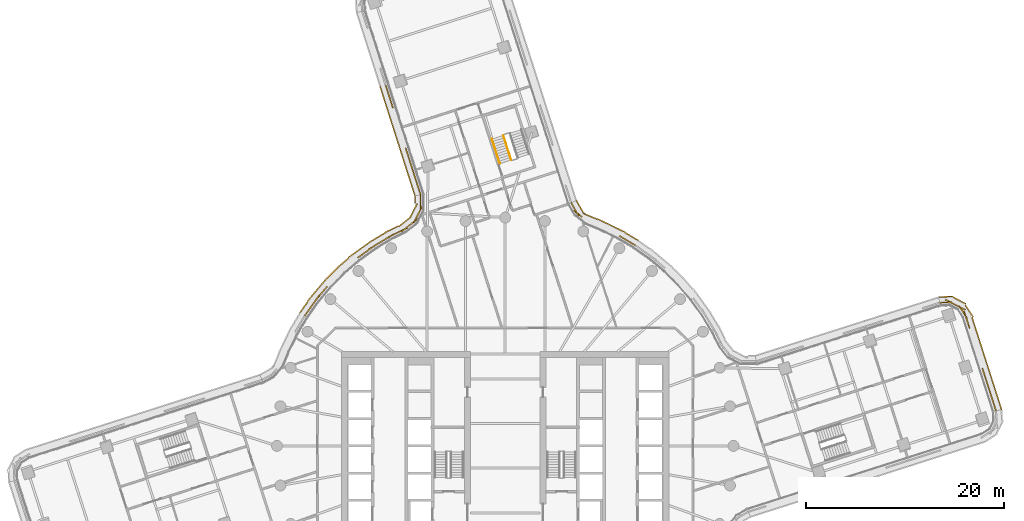
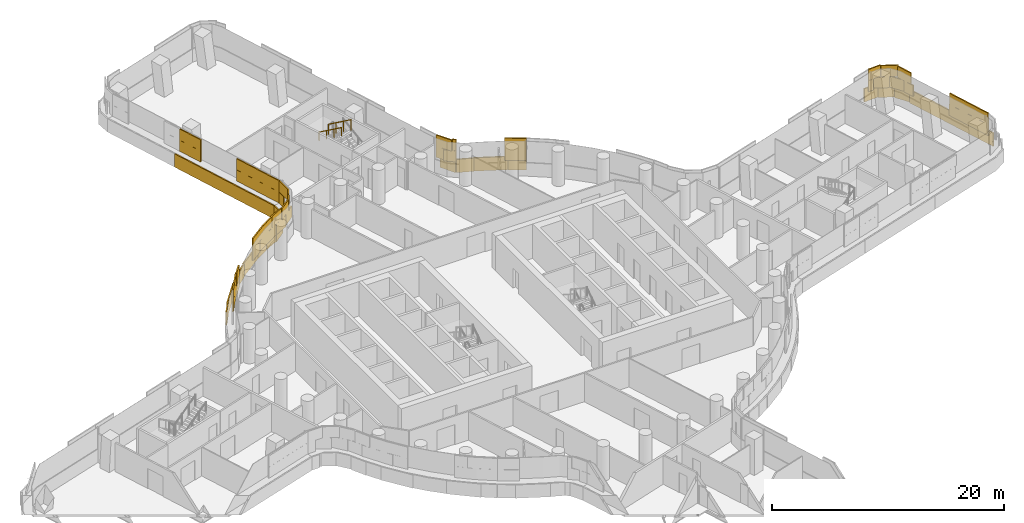
# One storey, part 29 of 30: 4 coverings, 2 railings.
"""IFC4 building model written with IfcOpenShell, lengths in metres."""

from ifc_helpers import new_model, si_unit, direction, frame, origin, origin_2d, place, context, subcontext, project, spatial, rectangle, circle, extrude, material, layer, layer_set, type_object, element, save


model = new_model("IFC4")

# Units and contexts
model_context = context("Model", 3, precision=1e-05, world=origin(), true_north=direction((0.0, 1.0)))
body_context = subcontext(model_context, "Body", "Model", "MODEL_VIEW")
ifc_project = project(units=[si_unit("LENGTHUNIT", "METRE"), si_unit("AREAUNIT", "SQUARE_METRE"), si_unit("VOLUMEUNIT", "CUBIC_METRE"), si_unit("PLANEANGLEUNIT", "RADIAN"), si_unit("MASSUNIT", "GRAM", prefix="KILO")], contexts=[model_context])

# Site, building, storey
site_placement = place(None, origin())
site = spatial("IfcSite", under=ifc_project, at=site_placement, CompositionType="ELEMENT")
building_placement = place(site_placement, origin())
building = spatial("IfcBuilding", under=site, at=building_placement, Name="Tamarind Cross Interchange Tower", CompositionType="ELEMENT")
storey_placement = place(building_placement, frame((0.0, 0.0, 98.5)))
storey = spatial("IfcBuildingStorey", under=building, at=storey_placement, Name="L23", CompositionType="ELEMENT", Elevation=98.5)

# Railings
ifc_material_1 = material(Name="Stair guard")
railing_type_1 = type_object("IfcRailingType", Name="Stair guard", PredefinedType="GUARDRAIL", material=ifc_material_1)
railing_1_placement = place(storey_placement, frame((-0.19140625, 31.2841796875, 2.04541015625)))
element("IfcRailing", 1, at=railing_1_placement, inside=storey, type_object=railing_type_1, Name="L23 ST4 stair guard 3", PredefinedType="GUARDRAIL", context=body_context, shape_type="SweptSolid", body=[
    extrude(circle(Radius=0.02392578125, at=origin_2d()), frame((0.0, 0.0, 1.076171875), z_axis=(0.255136052864, -0.796426546061, 0.548279446322), x_axis=(0.952327065072, 0.305078942459, 0.0)), (0.0, 0.0, 1.0), 3.10888671875),
    extrude(circle(Radius=0.02099609375, at=origin_2d()), origin(), (0.0, 0.0, 1.0), 1.052001953125),
    extrude(circle(Radius=0.02099609375, at=origin_2d()), frame((0.264404296875, -0.825439453125, 0.568115234375)), (0.0, 0.0, 1.0), 1.052001953125),
    extrude(circle(Radius=0.02099609375, at=origin_2d()), frame((0.52880859375, -1.650634765625, 1.136474609375)), (0.0, 0.0, 1.0), 1.052001953125),
    extrude(circle(Radius=0.02099609375, at=origin_2d()), frame((0.793212890625, -2.47607421875, 1.70458984375)), (0.0, 0.0, 1.0), 1.052001953125),
])
ifc_material_2 = material(Name="Stair handrail")
railing_type_2 = type_object("IfcRailingType", Name="Stair handrail", PredefinedType="HANDRAIL", material=ifc_material_2)
railing_2_placement = place(storey_placement, frame((-1.334228515625, 30.918212890625, 2.04541015625)))
element("IfcRailing", 2, at=railing_2_placement, inside=storey, type_object=railing_type_2, Name="L23 ST4 stair handrail 2", PredefinedType="HANDRAIL", context=body_context, shape_type="SweptSolid", body=[
    extrude(circle(Radius=0.02392578125, at=origin_2d()), frame((0.0, 0.0, 0.8759765625), z_axis=(0.255136052864, -0.796426546061, 0.548279446322), x_axis=(0.952327065072, 0.305078942459, 0.0)), (0.0, 0.0, 1.0), 3.10888671875),
    extrude(circle(Radius=0.02099609375, at=origin_2d()), origin(), (0.0, 0.0, 1.0), 0.851806640625),
    extrude(circle(Radius=0.02099609375, at=origin_2d()), frame((0.264404296875, -0.825439453125, 0.568115234375)), (0.0, 0.0, 1.0), 0.851806640625),
    extrude(circle(Radius=0.02099609375, at=origin_2d()), frame((0.52880859375, -1.650634765625, 1.136474609375)), (0.0, 0.0, 1.0), 0.851806640625),
    extrude(circle(Radius=0.02099609375, at=origin_2d()), frame((0.793212890625, -2.47607421875, 1.70458984375)), (0.0, 0.0, 1.0), 0.851806640625),
])

# Coverings
ifc_material_3 = material(Name="Terracotta", Category="masonry")
ifc_layer = layer(ifc_material_3, 0.1201171875)
ifc_layer_set = layer_set([ifc_layer], Name="Terracotta")
covering_type = type_object("IfcCoveringType", Name="Terracotta baguette screen unit", PredefinedType="MOLDING", material=ifc_layer_set)
covering_1_placement = place(storey_placement, origin())
element("IfcCovering", 3, at=covering_1_placement, inside=storey, type_object=covering_type, Name="SCR-L23-00-00", PredefinedType="MOLDING", context=body_context, shape_type="SweptSolid", body=[
    extrude(rectangle(XDim=0.760009765625, YDim=0.1201171875, at=origin_2d()), frame((49.3388671875, 3.888427734375, 1.404052734375), z_axis=(0.0, 0.0, 1.0), x_axis=(-0.305057113111, 0.95233405785, 0.0)), (0.0, 0.0, 1.0), 1.1669921875),
    extrude(rectangle(XDim=1.52001953125, YDim=0.1201171875, at=origin_2d()), frame((48.99560546875, 4.959716796875, 1.404052734375), z_axis=(0.0, 0.0, 1.0), x_axis=(-0.305057113111, 0.95233405785, 0.0)), (0.0, 0.0, 1.0), 1.1669921875),
    extrude(rectangle(XDim=1.52001953125, YDim=0.1201171875, at=origin_2d()), frame((48.5380859375, 6.38818359375, 1.404052734375), z_axis=(0.0, 0.0, 1.0), x_axis=(-0.305057113111, 0.95233405785, 0.0)), (0.0, 0.0, 1.0), 1.1669921875),
    extrude(rectangle(XDim=0.784912109375, YDim=0.1201171875, at=origin_2d()), frame((48.191162109375, 7.471435546875, 1.404052734375), z_axis=(0.0, 0.0, 1.0), x_axis=(-0.305057113111, 0.95233405785, 0.0)), (0.0, 0.0, 1.0), 1.1669921875),
    extrude(rectangle(XDim=1.03515625, YDim=0.1201171875, at=origin_2d()), frame((46.63525390625, 12.328369140625, 1.404052734375), z_axis=(0.0, 0.0, 1.0), x_axis=(-0.305057113111, 0.95233405785, 0.0)), (0.0, 0.0, 1.0), 1.1669921875),
    extrude(rectangle(XDim=1.52001953125, YDim=0.1201171875, at=origin_2d()), frame((46.1376953125, 13.477783203125, 1.404052734375), z_axis=(0.0, 0.0, 1.0), x_axis=(-0.541144735519, 0.840929471014, 0.0)), (0.0, 0.0, 1.0), 1.1669921875),
    extrude(rectangle(XDim=1.52001953125, YDim=0.1201171875, at=origin_2d()), frame((45.010986328125, 14.392333984375, 1.404052734375), z_axis=(0.0, 0.0, 1.0), x_axis=(-0.889109823591, 0.45769391693, 0.0)), (0.0, 0.0, 1.0), 1.1669921875),
    extrude(rectangle(XDim=0.509521484375, YDim=0.1201171875, at=origin_2d()), frame((44.031982421875, 14.434326171875, 1.404052734375), z_axis=(0.0, 0.0, 1.0), x_axis=(-0.998838652449, -0.048180352576, 0.0)), (0.0, 0.0, 1.0), 1.1669921875),
    extrude(rectangle(XDim=1.510009765625, YDim=0.1201171875, at=origin_2d()), frame((49.224365234375, 4.24560546875, 2.5791015625), z_axis=(0.0, 0.0, 1.0), x_axis=(-0.305057113111, 0.95233405785, 0.0)), (0.0, 0.0, 1.0), 1.1669921875),
    extrude(rectangle(XDim=1.52001953125, YDim=0.1201171875, at=origin_2d()), frame((48.766845703125, 5.674072265625, 2.5791015625), z_axis=(0.0, 0.0, 1.0), x_axis=(-0.305057113111, 0.95233405785, 0.0)), (0.0, 0.0, 1.0), 1.1669921875),
    extrude(rectangle(XDim=1.52001953125, YDim=0.1201171875, at=origin_2d()), frame((48.309326171875, 7.1025390625, 2.5791015625), z_axis=(0.0, 0.0, 1.0), x_axis=(-0.305057113111, 0.95233405785, 0.0)), (0.0, 0.0, 1.0), 1.1669921875),
    extrude(rectangle(XDim=1.52001953125, YDim=0.1201171875, at=origin_2d()), frame((46.47900390625, 12.816650390625, 2.5791015625), z_axis=(0.0, 0.0, 1.0), x_axis=(-0.305057113111, 0.95233405785, 0.0)), (0.0, 0.0, 1.0), 1.1669921875),
    extrude(rectangle(XDim=1.52001953125, YDim=0.1201171875, at=origin_2d()), frame((45.677978515625, 14.049072265625, 2.5791015625), z_axis=(0.0, 0.0, 1.0), x_axis=(-0.889109823591, 0.45769391693, 0.0)), (0.0, 0.0, 1.0), 1.1669921875),
    extrude(rectangle(XDim=1.259521484375, YDim=0.1201171875, at=origin_2d()), frame((44.406494140625, 14.452392578125, 2.5791015625), z_axis=(0.0, 0.0, 1.0), x_axis=(-0.998838652449, -0.048180352576, 0.0)), (0.0, 0.0, 1.0), 1.1669921875),
    extrude(rectangle(XDim=0.760009765625, YDim=0.1201171875, at=origin_2d()), frame((49.906982421875, 3.996337890625, 0.00390625), z_axis=(0.0, 0.0, 1.0), x_axis=(-0.305057113111, 0.95233405785, 0.0)), (0.0, 0.0, 1.0), 1.39208984375),
    extrude(rectangle(XDim=1.52001953125, YDim=0.1201171875, at=origin_2d()), frame((49.5654296875, 5.06298828125, 0.00390625), z_axis=(0.0, 0.0, 1.0), x_axis=(-0.305057113111, 0.95233405785, 0.0)), (0.0, 0.0, 1.0), 1.39208984375),
    extrude(rectangle(XDim=1.52001953125, YDim=0.1201171875, at=origin_2d()), frame((49.10791015625, 6.491455078125, 0.00390625), z_axis=(0.0, 0.0, 1.0), x_axis=(-0.305057113111, 0.95233405785, 0.0)), (0.0, 0.0, 1.0), 1.39208984375),
    extrude(rectangle(XDim=1.52001953125, YDim=0.1201171875, at=origin_2d()), frame((48.650146484375, 7.919921875, 0.00390625), z_axis=(0.0, 0.0, 1.0), x_axis=(-0.305057113111, 0.95233405785, 0.0)), (0.0, 0.0, 1.0), 1.39208984375),
    extrude(rectangle(XDim=1.52001953125, YDim=0.1201171875, at=origin_2d()), frame((48.192626953125, 9.348388671875, 0.00390625), z_axis=(0.0, 0.0, 1.0), x_axis=(-0.305057113111, 0.95233405785, 0.0)), (0.0, 0.0, 1.0), 1.39208984375),
    extrude(rectangle(XDim=1.52001953125, YDim=0.1201171875, at=origin_2d()), frame((47.735107421875, 10.77685546875, 0.00390625), z_axis=(0.0, 0.0, 1.0), x_axis=(-0.305057113111, 0.95233405785, 0.0)), (0.0, 0.0, 1.0), 1.39208984375),
    extrude(rectangle(XDim=1.52001953125, YDim=0.1201171875, at=origin_2d()), frame((47.27734375, 12.205322265625, 0.00390625), z_axis=(0.0, 0.0, 1.0), x_axis=(-0.305057113111, 0.95233405785, 0.0)), (0.0, 0.0, 1.0), 1.39208984375),
    extrude(rectangle(XDim=1.52001953125, YDim=0.1201171875, at=origin_2d()), frame((46.7431640625, 13.59765625, 0.00390625), z_axis=(0.0, 0.0, 1.0), x_axis=(-0.541144735519, 0.840929471014, 0.0)), (0.0, 0.0, 1.0), 1.39208984375),
    extrude(rectangle(XDim=1.52001953125, YDim=0.1201171875, at=origin_2d()), frame((45.748779296875, 14.657958984375, 0.00390625), z_axis=(0.0, 0.0, 1.0), x_axis=(-0.889109823591, 0.45769391693, 0.0)), (0.0, 0.0, 1.0), 1.39208984375),
    extrude(rectangle(XDim=1.4267578125, YDim=0.1201171875, at=origin_2d()), frame((44.392333984375, 15.0263671875, 0.00390625), z_axis=(0.0, 0.0, 1.0), x_axis=(-0.998838652449, -0.048180352576, 0.0)), (0.0, 0.0, 1.0), 1.39208984375),
])
covering_2_placement = place(storey_placement, origin())
element("IfcCovering", 4, at=covering_2_placement, inside=storey, type_object=covering_type, Name="SCR-L23-02-01", PredefinedType="MOLDING", context=body_context, shape_type="SweptSolid", body=[
    extrude(rectangle(XDim=1.169189453125, YDim=0.1201171875, at=origin_2d()), frame((12.6015625, 20.5068359375, 1.404052734375), z_axis=(0.0, 0.0, 1.0), x_axis=(-0.861248933065, 0.508183308752, 0.0)), (0.0, 0.0, 1.0), 1.1669921875),
    extrude(rectangle(XDim=0.716064453125, YDim=0.1201171875, at=origin_2d()), frame((11.798095703125, 20.98095703125, 1.404052734375), z_axis=(0.0, 0.0, 1.0), x_axis=(-0.861248933065, 0.508183308752, 0.0)), (0.0, 0.0, 1.0), 1.1669921875),
    extrude(rectangle(XDim=1.103759765625, YDim=0.1201171875, at=origin_2d()), frame((7.331298828125, 23.38525390625, 1.404052734375), z_axis=(0.0, 0.0, 1.0), x_axis=(-0.788748359531, 0.614716215288, 0.0)), (0.0, 0.0, 1.0), 1.1669921875),
    extrude(rectangle(XDim=0.78173828125, YDim=0.1201171875, at=origin_2d()), frame((6.833251953125, 24.162841796875, 1.404052734375), z_axis=(0.0, 0.0, 1.0), x_axis=(-0.489833203154, 0.87181616932, 0.0)), (0.0, 0.0, 1.0), 1.1669921875),
    extrude(rectangle(XDim=0.419189453125, YDim=0.1201171875, at=origin_2d()), frame((12.924560546875, 20.31640625, 2.5791015625), z_axis=(0.0, 0.0, 1.0), x_axis=(-0.861248933065, 0.508183308752, 0.0)), (0.0, 0.0, 1.0), 1.1669921875),
    extrude(rectangle(XDim=1.466064453125, YDim=0.1201171875, at=origin_2d()), frame((12.12109375, 20.790283203125, 2.5791015625), z_axis=(0.0, 0.0, 1.0), x_axis=(-0.861248933065, 0.508183308752, 0.0)), (0.0, 0.0, 1.0), 1.1669921875),
    extrude(rectangle(XDim=0.353759765625, YDim=0.1201171875, at=origin_2d()), frame((7.627197265625, 23.15478515625, 2.5791015625), z_axis=(0.0, 0.0, 1.0), x_axis=(-0.788748359531, 0.614716215288, 0.0)), (0.0, 0.0, 1.0), 1.1669921875),
    extrude(rectangle(XDim=1.52001953125, YDim=0.1201171875, at=origin_2d()), frame((7.022216796875, 23.826416015625, 2.5791015625), z_axis=(0.0, 0.0, 1.0), x_axis=(-0.489833203154, 0.87181616932, 0.0)), (0.0, 0.0, 1.0), 1.1669921875),
    extrude(rectangle(XDim=0.03173828125, YDim=0.1201171875, at=origin_2d()), frame((6.649658203125, 24.48974609375, 2.5791015625), z_axis=(0.0, 0.0, 1.0), x_axis=(-0.489833203154, 0.87181616932, 0.0)), (0.0, 0.0, 1.0), 1.1669921875),
    extrude(rectangle(XDim=0.097900390625, YDim=0.1201171875, at=origin_2d()), frame((13.37109375, 20.71923828125, 0.00390625), z_axis=(0.0, 0.0, 1.0), x_axis=(-0.861248933065, 0.508183308752, 0.0)), (0.0, 0.0, 1.0), 1.39208984375),
    extrude(rectangle(XDim=1.52001953125, YDim=0.1201171875, at=origin_2d()), frame((12.691650390625, 21.120361328125, 0.00390625), z_axis=(0.0, 0.0, 1.0), x_axis=(-0.861248933065, 0.508183308752, 0.0)), (0.0, 0.0, 1.0), 1.39208984375),
    extrude(rectangle(XDim=1.52001953125, YDim=0.1201171875, at=origin_2d()), frame((11.388671875, 21.86181640625, 0.00390625), z_axis=(0.0, 0.0, 1.0), x_axis=(-0.900272776334, 0.435326231914, 0.0)), (0.0, 0.0, 1.0), 1.39208984375),
    extrude(rectangle(XDim=1.52001953125, YDim=0.1201171875, at=origin_2d()), frame((10.0380859375, 22.514892578125, 0.00390625), z_axis=(0.0, 0.0, 1.0), x_axis=(-0.900272776334, 0.435326231914, 0.0)), (0.0, 0.0, 1.0), 1.39208984375),
    extrude(rectangle(XDim=1.52001953125, YDim=0.1201171875, at=origin_2d()), frame((8.65673828125, 23.0986328125, 0.00390625), z_axis=(0.0, 0.0, 1.0), x_axis=(-0.924979748676, 0.380016400355, 0.0)), (0.0, 0.0, 1.0), 1.39208984375),
    extrude(rectangle(XDim=1.52001953125, YDim=0.1201171875, at=origin_2d()), frame((7.542236328125, 24.072998046875, 0.00390625), z_axis=(0.0, 0.0, 1.0), x_axis=(-0.489833203154, 0.87181616932, 0.0)), (0.0, 0.0, 1.0), 1.39208984375),
])
covering_3_placement = place(storey_placement, origin())
element("IfcCovering", 5, at=covering_3_placement, inside=storey, type_object=covering_type, Name="SCR-L23-05-01", PredefinedType="MOLDING", context=body_context, shape_type="SweptSolid", body=[
    extrude(rectangle(XDim=0.428955078125, YDim=0.1201171875, at=origin_2d()), frame((-11.98046875, 36.121826171875, 1.404052734375), z_axis=(0.0, 0.0, 1.0), x_axis=(0.303682573614, -0.952773264992, 0.0)), (0.0, 0.0, 1.0), 1.1669921875),
    extrude(rectangle(XDim=1.52001953125, YDim=0.1201171875, at=origin_2d()), frame((-11.689208984375, 35.20751953125, 1.404052734375), z_axis=(0.0, 0.0, 1.0), x_axis=(0.303682573614, -0.952773264992, 0.0)), (0.0, 0.0, 1.0), 1.1669921875),
    extrude(rectangle(XDim=0.490478515625, YDim=0.1201171875, at=origin_2d()), frame((-11.388427734375, 34.26416015625, 1.404052734375), z_axis=(0.0, 0.0, 1.0), x_axis=(0.303682573614, -0.952773264992, 0.0)), (0.0, 0.0, 1.0), 1.1669921875),
    extrude(rectangle(XDim=1.32958984375, YDim=0.1201171875, at=origin_2d()), frame((-9.839599609375, 29.40478515625, 1.404052734375), z_axis=(0.0, 0.0, 1.0), x_axis=(0.303682573614, -0.952773264992, 0.0)), (0.0, 0.0, 1.0), 1.1669921875),
    extrude(rectangle(XDim=1.52001953125, YDim=0.1201171875, at=origin_2d()), frame((-9.41162109375, 28.061767578125, 1.404052734375), z_axis=(0.0, 0.0, 1.0), x_axis=(0.303682573614, -0.952773264992, 0.0)), (0.0, 0.0, 1.0), 1.1669921875),
    extrude(rectangle(XDim=1.52001953125, YDim=0.1201171875, at=origin_2d()), frame((-8.9560546875, 26.632568359375, 1.404052734375), z_axis=(0.0, 0.0, 1.0), x_axis=(0.303682573614, -0.952773264992, 0.0)), (0.0, 0.0, 1.0), 1.1669921875),
    extrude(rectangle(XDim=0.67138671875, YDim=0.1201171875, at=origin_2d()), frame((-8.6279296875, 25.602783203125, 1.404052734375), z_axis=(0.0, 0.0, 1.0), x_axis=(0.303682573614, -0.952773264992, 0.0)), (0.0, 0.0, 1.0), 1.1669921875),
    extrude(rectangle(XDim=1.178955078125, YDim=0.1201171875, at=origin_2d()), frame((-11.86669921875, 35.764404296875, 2.5791015625), z_axis=(0.0, 0.0, 1.0), x_axis=(0.303682573614, -0.952773264992, 0.0)), (0.0, 0.0, 1.0), 1.1669921875),
    extrude(rectangle(XDim=1.240478515625, YDim=0.1201171875, at=origin_2d()), frame((-11.50244140625, 34.621337890625, 2.5791015625), z_axis=(0.0, 0.0, 1.0), x_axis=(0.303682573614, -0.952773264992, 0.0)), (0.0, 0.0, 1.0), 1.1669921875),
    extrude(rectangle(XDim=0.57958984375, YDim=0.1201171875, at=origin_2d()), frame((-9.95361328125, 29.76220703125, 2.5791015625), z_axis=(0.0, 0.0, 1.0), x_axis=(0.303682573614, -0.952773264992, 0.0)), (0.0, 0.0, 1.0), 1.1669921875),
    extrude(rectangle(XDim=1.52001953125, YDim=0.1201171875, at=origin_2d()), frame((-9.639404296875, 28.7763671875, 2.5791015625), z_axis=(0.0, 0.0, 1.0), x_axis=(0.303682573614, -0.952773264992, 0.0)), (0.0, 0.0, 1.0), 1.1669921875),
    extrude(rectangle(XDim=1.52001953125, YDim=0.1201171875, at=origin_2d()), frame((-9.183837890625, 27.34716796875, 2.5791015625), z_axis=(0.0, 0.0, 1.0), x_axis=(0.303682573614, -0.952773264992, 0.0)), (0.0, 0.0, 1.0), 1.1669921875),
    extrude(rectangle(XDim=1.42138671875, YDim=0.1201171875, at=origin_2d()), frame((-8.74169921875, 25.960205078125, 2.5791015625), z_axis=(0.0, 0.0, 1.0), x_axis=(0.303682573614, -0.952773264992, 0.0)), (0.0, 0.0, 1.0), 1.1669921875),
    extrude(rectangle(XDim=0.434814453125, YDim=0.1201171875, at=origin_2d()), frame((-12.549560546875, 36.016845703125, 0.00390625), z_axis=(0.0, 0.0, 1.0), x_axis=(0.303682573614, -0.952773264992, 0.0)), (0.0, 0.0, 1.0), 1.39208984375),
    extrude(rectangle(XDim=1.52001953125, YDim=0.1201171875, at=origin_2d()), frame((-12.2587890625, 35.104736328125, 0.00390625), z_axis=(0.0, 0.0, 1.0), x_axis=(0.303682573614, -0.952773264992, 0.0)), (0.0, 0.0, 1.0), 1.39208984375),
    extrude(rectangle(XDim=1.52001953125, YDim=0.1201171875, at=origin_2d()), frame((-11.803466796875, 33.675537109375, 0.00390625), z_axis=(0.0, 0.0, 1.0), x_axis=(0.303682573614, -0.952773264992, 0.0)), (0.0, 0.0, 1.0), 1.39208984375),
    extrude(rectangle(XDim=1.52001953125, YDim=0.1201171875, at=origin_2d()), frame((-11.347900390625, 32.24658203125, 0.00390625), z_axis=(0.0, 0.0, 1.0), x_axis=(0.303682573614, -0.952773264992, 0.0)), (0.0, 0.0, 1.0), 1.39208984375),
    extrude(rectangle(XDim=1.52001953125, YDim=0.1201171875, at=origin_2d()), frame((-10.892333984375, 30.8173828125, 0.00390625), z_axis=(0.0, 0.0, 1.0), x_axis=(0.303682573614, -0.952773264992, 0.0)), (0.0, 0.0, 1.0), 1.39208984375),
    extrude(rectangle(XDim=1.52001953125, YDim=0.1201171875, at=origin_2d()), frame((-10.436767578125, 29.38818359375, 0.00390625), z_axis=(0.0, 0.0, 1.0), x_axis=(0.303682573614, -0.952773264992, 0.0)), (0.0, 0.0, 1.0), 1.39208984375),
    extrude(rectangle(XDim=1.52001953125, YDim=0.1201171875, at=origin_2d()), frame((-9.981201171875, 27.958984375, 0.00390625), z_axis=(0.0, 0.0, 1.0), x_axis=(0.303682573614, -0.952773264992, 0.0)), (0.0, 0.0, 1.0), 1.39208984375),
    extrude(rectangle(XDim=1.52001953125, YDim=0.1201171875, at=origin_2d()), frame((-9.52587890625, 26.52978515625, 0.00390625), z_axis=(0.0, 0.0, 1.0), x_axis=(0.303682573614, -0.952773264992, 0.0)), (0.0, 0.0, 1.0), 1.39208984375),
    extrude(rectangle(XDim=0.657470703125, YDim=0.1201171875, at=origin_2d()), frame((-9.201171875, 25.51171875, 0.00390625), z_axis=(0.0, 0.0, 1.0), x_axis=(0.303682573614, -0.952773264992, 0.0)), (0.0, 0.0, 1.0), 1.39208984375),
])
covering_4_placement = place(storey_placement, origin())
element("IfcCovering", 6, at=covering_4_placement, inside=storey, type_object=covering_type, Name="SCR-L23-06-00", PredefinedType="MOLDING", context=body_context, shape_type="SweptSolid", body=[
    extrude(rectangle(XDim=0.760009765625, YDim=0.1201171875, at=origin_2d()), frame((-8.52734375, 24.912841796875, 1.404052734375), z_axis=(0.0, 0.0, 1.0), x_axis=(-0.000125567468, -0.999999992116, 0.0)), (0.0, 0.0, 1.0), 1.1669921875),
    extrude(rectangle(XDim=1.52001953125, YDim=0.1201171875, at=origin_2d()), frame((-8.539794921875, 23.790771484375, 1.404052734375), z_axis=(0.0, 0.0, 1.0), x_axis=(-0.463309652578, -0.886196460063, 0.0)), (0.0, 0.0, 1.0), 1.1669921875),
    extrude(rectangle(XDim=1.52001953125, YDim=0.1201171875, at=origin_2d()), frame((-9.291259765625, 22.50830078125, 1.404052734375), z_axis=(0.0, 0.0, 1.0), x_axis=(-0.783408467648, -0.621507178412, 0.0)), (0.0, 0.0, 1.0), 1.1669921875),
    extrude(rectangle(XDim=1.52001953125, YDim=0.1201171875, at=origin_2d()), frame((-10.51318359375, 21.649658203125, 1.404052734375), z_axis=(0.0, 0.0, 1.0), x_axis=(-0.896011305856, -0.444031237389, 0.0)), (0.0, 0.0, 1.0), 1.1669921875),
    extrude(rectangle(XDim=1.52001953125, YDim=0.1201171875, at=origin_2d()), frame((-11.843994140625, 20.95947265625, 1.404052734375), z_axis=(0.0, 0.0, 1.0), x_axis=(-0.856843065292, -0.515577308909, 0.0)), (0.0, 0.0, 1.0), 1.1669921875),
    extrude(rectangle(XDim=1.52001953125, YDim=0.1201171875, at=origin_2d()), frame((-13.129150390625, 20.18603515625, 1.404052734375), z_axis=(0.0, 0.0, 1.0), x_axis=(-0.856843065292, -0.515577308909, 0.0)), (0.0, 0.0, 1.0), 1.1669921875),
    extrude(rectangle(XDim=1.400390625, YDim=0.1201171875, at=origin_2d()), frame((-14.30859375, 19.351806640625, 1.404052734375), z_axis=(0.0, 0.0, 1.0), x_axis=(-0.811340475102, -0.584573890505, 0.0)), (0.0, 0.0, 1.0), 1.1669921875),
    extrude(rectangle(XDim=0.419677734375, YDim=0.1201171875, at=origin_2d()), frame((-18.060791015625, 15.9150390625, 1.404052734375), z_axis=(0.0, 0.0, 1.0), x_axis=(-0.643009266048, -0.765858396687, 0.0)), (0.0, 0.0, 1.0), 1.1669921875),
    extrude(rectangle(XDim=1.52001953125, YDim=0.1201171875, at=origin_2d()), frame((-18.674560546875, 15.183837890625, 1.404052734375), z_axis=(0.0, 0.0, 1.0), x_axis=(-0.643009266048, -0.765858396687, 0.0)), (0.0, 0.0, 1.0), 1.1669921875),
    extrude(rectangle(XDim=1.52001953125, YDim=0.1201171875, at=origin_2d()), frame((-19.581298828125, 13.990478515625, 1.404052734375), z_axis=(0.0, 0.0, 1.0), x_axis=(-0.577568978284, -0.816341886298, 0.0)), (0.0, 0.0, 1.0), 1.1669921875),
    extrude(rectangle(XDim=0.3505859375, YDim=0.1201171875, at=origin_2d()), frame((-20.11279296875, 13.239013671875, 1.404052734375), z_axis=(0.0, 0.0, 1.0), x_axis=(-0.577568978284, -0.816341886298, 0.0)), (0.0, 0.0, 1.0), 1.1669921875),
    extrude(rectangle(XDim=1.510009765625, YDim=0.1201171875, at=origin_2d()), frame((-8.527587890625, 24.537841796875, 2.5791015625), z_axis=(0.0, 0.0, 1.0), x_axis=(-0.000125567468, -0.999999992116, 0.0)), (0.0, 0.0, 1.0), 1.1669921875),
    extrude(rectangle(XDim=1.52001953125, YDim=0.1201171875, at=origin_2d()), frame((-8.88720703125, 23.1259765625, 2.5791015625), z_axis=(0.0, 0.0, 1.0), x_axis=(-0.463309652578, -0.886196460063, 0.0)), (0.0, 0.0, 1.0), 1.1669921875),
    extrude(rectangle(XDim=1.52001953125, YDim=0.1201171875, at=origin_2d()), frame((-9.878662109375, 22.0419921875, 2.5791015625), z_axis=(0.0, 0.0, 1.0), x_axis=(-0.783408467648, -0.621507178412, 0.0)), (0.0, 0.0, 1.0), 1.1669921875),
    extrude(rectangle(XDim=1.52001953125, YDim=0.1201171875, at=origin_2d()), frame((-11.18505859375, 21.316650390625, 2.5791015625), z_axis=(0.0, 0.0, 1.0), x_axis=(-0.896011305856, -0.444031237389, 0.0)), (0.0, 0.0, 1.0), 1.1669921875),
    extrude(rectangle(XDim=1.52001953125, YDim=0.1201171875, at=origin_2d()), frame((-12.486572265625, 20.57275390625, 2.5791015625), z_axis=(0.0, 0.0, 1.0), x_axis=(-0.856843065292, -0.515577308909, 0.0)), (0.0, 0.0, 1.0), 1.1669921875),
    extrude(rectangle(XDim=1.52001953125, YDim=0.1201171875, at=origin_2d()), frame((-13.74462890625, 19.75830078125, 2.5791015625), z_axis=(0.0, 0.0, 1.0), x_axis=(-0.811340475102, -0.584573890505, 0.0)), (0.0, 0.0, 1.0), 1.1669921875),
    extrude(rectangle(XDim=0.650390625, YDim=0.1201171875, at=origin_2d()), frame((-14.613037109375, 19.132568359375, 2.5791015625), z_axis=(0.0, 0.0, 1.0), x_axis=(-0.811340475102, -0.584573890505, 0.0)), (0.0, 0.0, 1.0), 1.1669921875),
    extrude(rectangle(XDim=1.169677734375, YDim=0.1201171875, at=origin_2d()), frame((-18.3017578125, 15.6279296875, 2.5791015625), z_axis=(0.0, 0.0, 1.0), x_axis=(-0.643009266048, -0.765858396687, 0.0)), (0.0, 0.0, 1.0), 1.1669921875),
    extrude(rectangle(XDim=1.52001953125, YDim=0.1201171875, at=origin_2d()), frame((-19.148193359375, 14.6025390625, 2.5791015625), z_axis=(0.0, 0.0, 1.0), x_axis=(-0.577568978284, -0.816341886298, 0.0)), (0.0, 0.0, 1.0), 1.1669921875),
    extrude(rectangle(XDim=1.1005859375, YDim=0.1201171875, at=origin_2d()), frame((-19.896240234375, 13.545166015625, 2.5791015625), z_axis=(0.0, 0.0, 1.0), x_axis=(-0.577568978284, -0.816341886298, 0.0)), (0.0, 0.0, 1.0), 1.1669921875),
    extrude(rectangle(XDim=0.760009765625, YDim=0.1201171875, at=origin_2d()), frame((-9.1015625, 24.818603515625, 0.00390625), z_axis=(0.0, 0.0, 1.0), x_axis=(-0.000125567468, -0.999999992116, 0.0)), (0.0, 0.0, 1.0), 1.39208984375),
    extrude(rectangle(XDim=1.52001953125, YDim=0.1201171875, at=origin_2d()), frame((-9.220458984375, 23.727783203125, 0.00390625), z_axis=(0.0, 0.0, 1.0), x_axis=(-0.463309652578, -0.886196460063, 0.0)), (0.0, 0.0, 1.0), 1.39208984375),
    extrude(rectangle(XDim=1.52001953125, YDim=0.1201171875, at=origin_2d()), frame((-10.129638671875, 22.57568359375, 0.00390625), z_axis=(0.0, 0.0, 1.0), x_axis=(-0.783408467648, -0.621507178412, 0.0)), (0.0, 0.0, 1.0), 1.39208984375),
    extrude(rectangle(XDim=1.52001953125, YDim=0.1201171875, at=origin_2d()), frame((-11.427734375, 21.837158203125, 0.00390625), z_axis=(0.0, 0.0, 1.0), x_axis=(-0.896011305856, -0.444031237389, 0.0)), (0.0, 0.0, 1.0), 1.39208984375),
    extrude(rectangle(XDim=1.52001953125, YDim=0.1201171875, at=origin_2d()), frame((-12.73046875, 21.095947265625, 0.00390625), z_axis=(0.0, 0.0, 1.0), x_axis=(-0.856843065292, -0.515577308909, 0.0)), (0.0, 0.0, 1.0), 1.39208984375),
    extrude(rectangle(XDim=1.52001953125, YDim=0.1201171875, at=origin_2d()), frame((-13.992431640625, 20.287109375, 0.00390625), z_axis=(0.0, 0.0, 1.0), x_axis=(-0.811340475102, -0.584573890505, 0.0)), (0.0, 0.0, 1.0), 1.39208984375),
    extrude(rectangle(XDim=1.52001953125, YDim=0.1201171875, at=origin_2d()), frame((-15.20947265625, 19.410400390625, 0.00390625), z_axis=(0.0, 0.0, 1.0), x_axis=(-0.811340475102, -0.584573890505, 0.0)), (0.0, 0.0, 1.0), 1.39208984375),
    extrude(rectangle(XDim=1.52001953125, YDim=0.1201171875, at=origin_2d()), frame((-16.351318359375, 18.4375, 0.00390625), z_axis=(0.0, 0.0, 1.0), x_axis=(-0.760295606781, -0.64957723968, 0.0)), (0.0, 0.0, 1.0), 1.39208984375),
    extrude(rectangle(XDim=1.52001953125, YDim=0.1201171875, at=origin_2d()), frame((-17.439208984375, 17.406494140625, 0.00390625), z_axis=(0.0, 0.0, 1.0), x_axis=(-0.704057148523, -0.710143317658, 0.0)), (0.0, 0.0, 1.0), 1.39208984375),
    extrude(rectangle(XDim=1.52001953125, YDim=0.1201171875, at=origin_2d()), frame((-18.470947265625, 16.319091796875, 0.00390625), z_axis=(0.0, 0.0, 1.0), x_axis=(-0.643009266048, -0.765858396687, 0.0)), (0.0, 0.0, 1.0), 1.39208984375),
    extrude(rectangle(XDim=1.52001953125, YDim=0.1201171875, at=origin_2d()), frame((-19.435302734375, 15.17041015625, 0.00390625), z_axis=(0.0, 0.0, 1.0), x_axis=(-0.643009266048, -0.765858396687, 0.0)), (0.0, 0.0, 1.0), 1.39208984375),
    extrude(rectangle(XDim=1.422119140625, YDim=0.1201171875, at=origin_2d()), frame((-20.28271484375, 13.992919921875, 0.00390625), z_axis=(0.0, 0.0, 1.0), x_axis=(-0.577568978284, -0.816341886298, 0.0)), (0.0, 0.0, 1.0), 1.39208984375),
])

save(model, "model.ifc")
